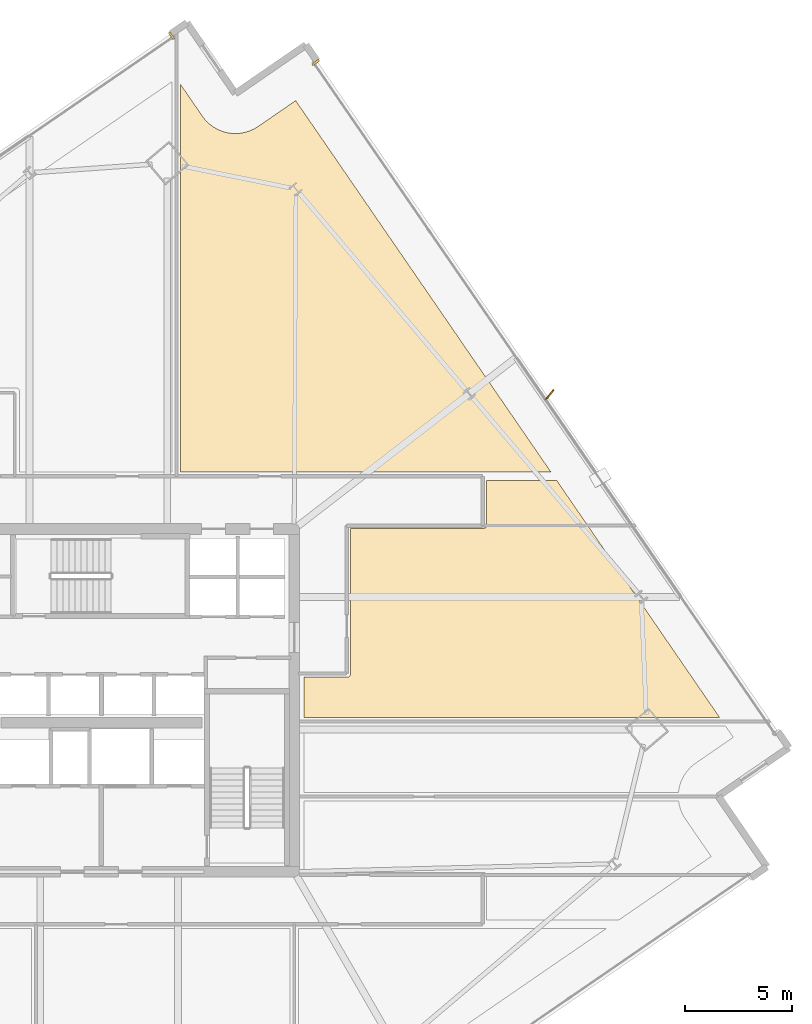
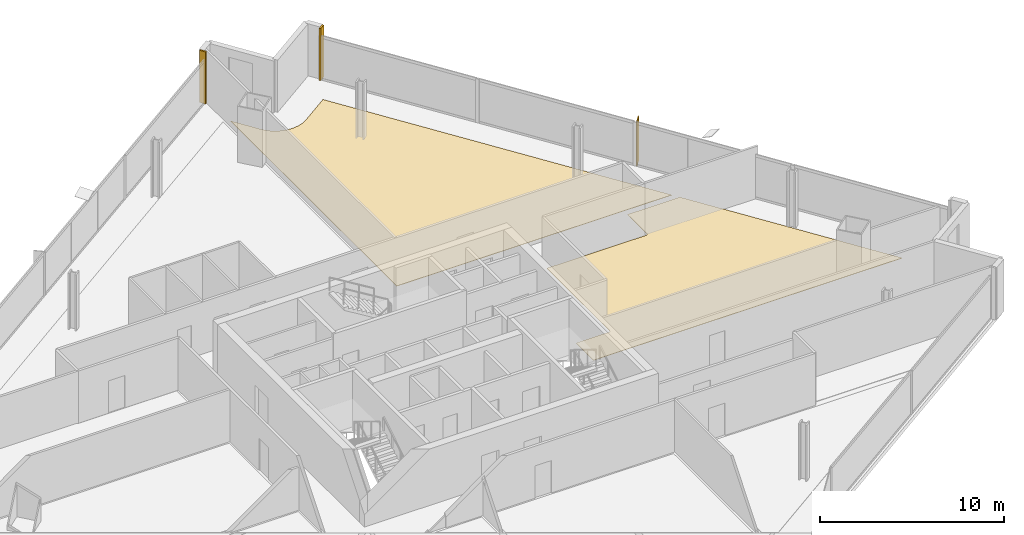
# One storey, part 29 of 29: 4 coverings, 1 shading device.
"""IFC4 building model written with IfcOpenShell, lengths in metres."""

from ifc_helpers import new_model, si_unit, direction, frame, origin, origin_2d, place, context, subcontext, project, spatial, polyline, rectangle, outline, extrude, source, transform, mapped, material, layer, layer_set, type_object, element, save


model = new_model("IFC4")

# Units and contexts
model_context = context("Model", 3, precision=1e-05, world=origin(), true_north=direction((0.0, 1.0)))
body_context = subcontext(model_context, "Body", "Model", "MODEL_VIEW")
ifc_project = project(units=[si_unit("LENGTHUNIT", "METRE"), si_unit("AREAUNIT", "SQUARE_METRE"), si_unit("VOLUMEUNIT", "CUBIC_METRE"), si_unit("PLANEANGLEUNIT", "RADIAN"), si_unit("MASSUNIT", "GRAM", prefix="KILO")], contexts=[model_context])

# Site, building, storey
site_placement = place(None, origin())
site = spatial("IfcSite", under=ifc_project, at=site_placement, CompositionType="ELEMENT")
building_placement = place(site_placement, origin())
building = spatial("IfcBuilding", under=site, at=building_placement, Name="Haldenkirk Collegiate Tower", CompositionType="ELEMENT")
storey_placement = place(building_placement, frame((0.0, 0.0, 144.449951171875)))
storey = spatial("IfcBuildingStorey", under=building, at=storey_placement, Name="L35", CompositionType="ELEMENT", Elevation=144.449951171875)

# Coverings
ifc_material_1 = material(Name="Polished collegiate terrazzo", Category="concrete")
ifc_layer_1 = layer(ifc_material_1, 0.02490234375)
ifc_layer_set_1 = layer_set([ifc_layer_1], Name="Polished collegiate terrazzo")
covering_type_1 = type_object("IfcCoveringType", Name="COV-FLOOR-TERRAZZO", PredefinedType="FLOORING", material=ifc_layer_set_1)
covering_1_placement = place(storey_placement, origin())
element("IfcCovering", 1, at=covering_1_placement, inside=storey, type_object=covering_type_1, Name="L35 academic room finish 06", PredefinedType="FLOORING", context=body_context, shape_type="SweptSolid", body=[
    extrude(outline(polyline([(40.715576171875, 53.266357421875), (40.718994140625, 53.26171875), (40.822998046875, 53.125), (40.830810546875, 53.115966796875), (40.94775390625, 52.990234375), (40.9560546875, 52.982177734375), (41.084716796875, 52.868408203125), (41.093994140625, 52.861083984375), (41.2333984375, 52.760498046875), (41.2431640625, 52.754150390625), (41.3916015625, 52.667724609375), (41.402099609375, 52.662353515625), (41.55810546875, 52.591064453125), (41.569091796875, 52.586669921875), (41.731689453125, 52.531005859375), (41.742919921875, 52.527587890625), (41.909912109375, 52.488037109375), (41.921630859375, 52.48583984375), (42.091796875, 52.462890625), (42.103515625, 52.4619140625), (42.275146484375, 52.455810546875), (42.287109375, 52.455810546875), (42.45849609375, 52.466552734375), (42.469970703125, 52.4677734375), (42.639404296875, 52.4951171875), (42.651123046875, 52.497802734375), (42.817138671875, 52.54150390625), (42.828369140625, 52.545166015625), (42.9892578125, 52.605224609375), (43.0, 52.60986328125), (43.154296875, 52.685302734375), (43.164794921875, 52.69091796875), (43.310791015625, 52.78125), (43.31591796875, 52.784423828125), (45.0712890625, 53.99072265625), (56.9892578125, 36.64990234375), (39.699951171875, 36.64990234375), (39.699951171875, 54.743896484375), (40.715576171875, 53.266357421875)])), origin(), (0.0, 0.0, 1.0), 0.025146484375),
])
covering_2_placement = place(storey_placement, origin())
element("IfcCovering", 2, at=covering_2_placement, inside=storey, type_object=covering_type_1, Name="L35 academic room finish 12", PredefinedType="FLOORING", context=body_context, shape_type="SweptSolid", body=[
    extrude(outline(polyline([(47.5, 27.080078125), (47.51171875, 27.08056640625), (47.5234375, 27.082275390625), (47.534912109375, 27.085205078125), (47.5458984375, 27.089111328125), (47.556640625, 27.09423828125), (47.566650390625, 27.10009765625), (47.576171875, 27.107177734375), (47.5849609375, 27.114990234375), (47.5927734375, 27.123779296875), (47.599853515625, 27.13330078125), (47.605712890625, 27.143310546875), (47.61083984375, 27.154052734375), (47.61474609375, 27.165283203125), (47.61767578125, 27.176513671875), (47.619384765625, 27.188232421875), (47.6201171875, 27.199951171875), (47.6201171875, 34.030029296875), (53.85009765625, 34.030029296875), (53.86181640625, 34.030517578125), (53.873291015625, 34.0322265625), (53.884765625, 34.03515625), (53.89599609375, 34.0390625), (53.906494140625, 34.044189453125), (53.916748046875, 34.05029296875), (53.926025390625, 34.05712890625), (53.934814453125, 34.065185546875), (53.94287109375, 34.073974609375), (53.94970703125, 34.083251953125), (53.955810546875, 34.093505859375), (53.9609375, 34.10400390625), (53.96484375, 34.115234375), (53.9677734375, 34.126708984375), (53.969482421875, 34.13818359375), (53.969970703125, 34.14990234375), (53.969970703125, 36.25), (57.26416015625, 36.25), (64.858642578125, 25.199951171875), (45.449951171875, 25.199951171875), (45.449951171875, 27.080078125), (47.5, 27.080078125)])), origin(), (0.0, 0.0, 1.0), 0.025146484375),
])
ifc_material_2 = material(Name="Anodised architectural bronze aluminium", Category="aluminium")
ifc_layer_2 = layer(ifc_material_2, 0.06005859375)
ifc_layer_set_2 = layer_set([ifc_layer_2], Name="Anodised architectural bronze aluminium")
covering_type_2 = type_object("IfcCoveringType", Name="COV-CLAD-BRONZE-60", PredefinedType="CLADDING", material=ifc_layer_set_2)
shared_shape_1 = source(origin(), body_context, "Body", "SweptSolid", [
    extrude(rectangle(XDim=0.10009765625, YDim=0.3798828125, at=origin_2d()), origin(), (0.0, 0.0, 1.0), 3.4599609375),
])
for number, where, z_axis, x_axis, name in (
    (3, (46.005615234375, 55.773681640625, 0.0), (0.0, 0.0, 1.0), (0.566406236925, -0.824126188622, 0.0), "L35 recessed curtain-wall bronze jamb closure EJL"),
    (4, (39.275634765625, 57.02099609375, 0.0), (0.0, 0.0, 1.0), (0.824126188622, 0.566406236925, 0.0), "L35 recessed curtain-wall bronze jamb closure NJR"),
):
    element("IfcCovering", number, at=place(storey_placement, frame(where, z_axis=z_axis, x_axis=x_axis)), inside=storey, type_object=covering_type_2, Name=name, PredefinedType="CLADDING", context=body_context, shape_type="MappedRepresentation", body=[
        mapped(shared_shape_1, transform((0.0, 0.0, 0.0), x_axis=(1.0, 0.0, 0.0), y_axis=(0.0, 1.0, 0.0), z_axis=(0.0, 0.0, 1.0), scale=1.0)),
    ])

# Shading device
ifc_layer_3 = layer(ifc_material_2, 0.06494140625)
ifc_layer_set_3 = layer_set([ifc_layer_3], Name="Anodised architectural bronze aluminium")
shading_device_type = type_object("IfcShadingDeviceType", Name="SHD-FIN-BRONZE-620", PredefinedType="USERDEFINED", material=ifc_layer_set_3)
shared_shape_2 = source(origin(), body_context, "Body", "SweptSolid", [
    extrude(rectangle(XDim=0.6201171875, YDim=0.06494140625, at=origin_2d()), origin(), (0.0, 0.0, 1.0), 2.910888671875),
])
shading_device_placement = place(storey_placement, frame((56.91943359375, 40.256103515625, 0.0), z_axis=(0.0, 0.0, 1.0), x_axis=(0.636078220278, 0.771624583388, 0.0)))
element("IfcShadingDevice", 5, at=shading_device_placement, inside=storey, type_object=shading_device_type, Name="L35 folded bronze solar fin 1", ObjectType="FIN", PredefinedType="USERDEFINED", context=body_context, shape_type="MappedRepresentation", body=[
    mapped(shared_shape_2, transform((0.0, 0.0, 0.0), x_axis=(1.0, 0.0, 0.0), y_axis=(0.0, 1.0, 0.0), z_axis=(0.0, 0.0, 1.0), scale=1.0)),
])

save(model, "model.ifc")
